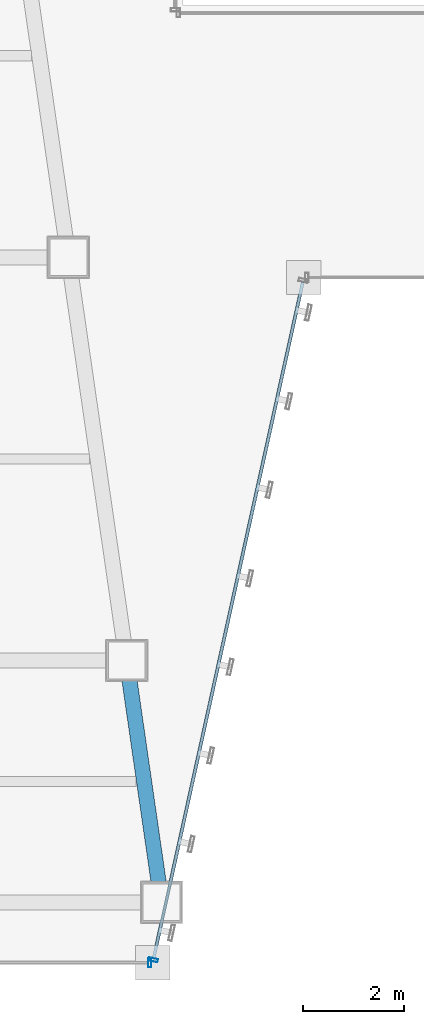
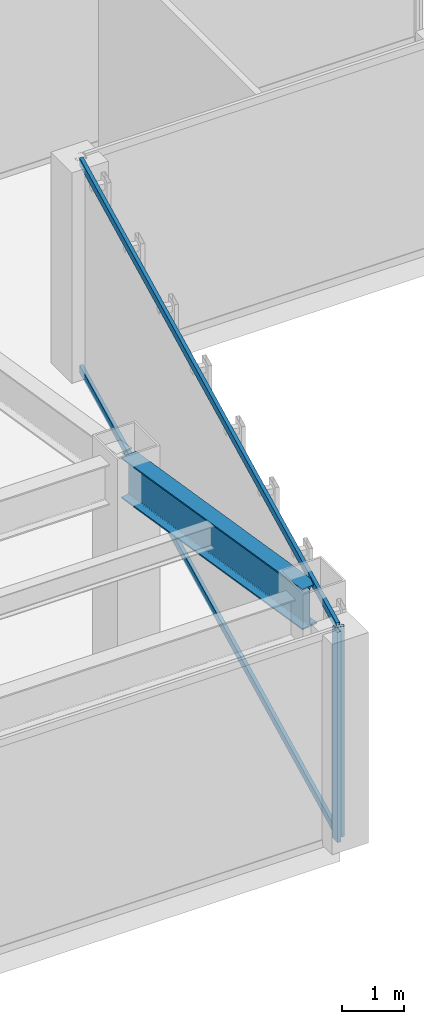
# One storey, part 7 of 49: 4 members, 1 beam, 2 elements without a shape of their own.
"""IFC4 building model written with IfcOpenShell, lengths in metres."""

from ifc_helpers import new_model, si_unit, direction, frame, origin, origin_2d, place, context, subcontext, project, spatial, hollow_rectangle, i_section, extrude, material, material_profile, profile_set, type_object, element, aggregate, save


model = new_model("IFC4")

# Units and contexts
model_context = context("Model", 3, precision=1e-05, world=origin(), true_north=direction((0.0, 1.0)))
body_context = subcontext(model_context, "Body", "Model", "MODEL_VIEW")
ifc_project = project(units=[si_unit("LENGTHUNIT", "METRE"), si_unit("AREAUNIT", "SQUARE_METRE"), si_unit("VOLUMEUNIT", "CUBIC_METRE"), si_unit("PLANEANGLEUNIT", "RADIAN"), si_unit("MASSUNIT", "GRAM", prefix="KILO")], contexts=[model_context])

# Site, building, storey
site_placement = place(None, origin())
site = spatial("IfcSite", under=ifc_project, at=site_placement, CompositionType="ELEMENT")
building_placement = place(site_placement, origin())
building = spatial("IfcBuilding", under=site, at=building_placement, Name="Saevonmaru Cultural Tower", CompositionType="ELEMENT")
storey_placement = place(building_placement, frame((0.0, 0.0, 38.39990234375)))
storey = spatial("IfcBuildingStorey", under=building, at=storey_placement, Name="L07", CompositionType="ELEMENT", Elevation=38.39990234375)

# Beam
ifc_material_1 = material(Name="Steel SM420", Category="steel")
ifc_material_profile_1 = material_profile(ifc_material_1, i_section(OverallWidth=0.300048828125, OverallDepth=0.800048828125, WebThickness=0.013916015625, FlangeThickness=0.02587890625, FilletRadius=0.028076171875, at=origin_2d()), Name="H-800x300x14x26")
ifc_profile_set_1 = profile_set([ifc_material_profile_1], Name="Steel SM420")
beam_type = type_object("IfcBeamType", Name="BM-G-H800", PredefinedType="BEAM", material=ifc_profile_set_1)
beam_placement = place(storey_placement, frame((23.768310546875, 3.259521484375, 3.75), z_axis=(-0.143083234893, 0.989710658674, 0.0), x_axis=(-0.989710658674, -0.143083234893, 0.0)))
element("IfcBeam", 1, at=beam_placement, inside=storey, type_object=beam_type, Name="L07 West Atrium Girder 1", PredefinedType="BEAM", context=body_context, shape_type="SweptSolid", body=[
    extrude(i_section(OverallWidth=0.300048828125, OverallDepth=0.800048828125, WebThickness=0.013916015625, FlangeThickness=0.02587890625, FilletRadius=0.028076171875, at=origin_2d()), origin(), (0.0, 0.0, 1.0), 4.729736328125),
])

# Curtain wall, member
ifc_material_2 = material(Name="Satin Bronze Anodised Aluminium", Category="aluminium")
curtain_wall_type = type_object("IfcCurtainWallType", Name="CW-TYP-A", PredefinedType="NOTDEFINED", material=ifc_material_2)
curtain_wall_1_placement = place(storey_placement, origin())
curtain_wall_1 = element("IfcCurtainWall", 2, at=curtain_wall_1_placement, inside=storey, type_object=curtain_wall_type, Name="L07 Unitised Curtain Wall E2", PredefinedType="NOTDEFINED")
ifc_material_profile_2 = material_profile(ifc_material_2, hollow_rectangle(XDim=0.06494140625, YDim=0.179931640625, WallThickness=0.00390625, at=origin_2d()), Name="ALU-MULL-180x65x4")
ifc_profile_set_2 = profile_set([ifc_material_profile_2], Name="Satin Bronze Anodised Aluminium")
member_type_1 = type_object("IfcMemberType", Name="ML-CW-180x65", PredefinedType="MULLION", material=ifc_profile_set_2)
member_1_placement = place(storey_placement, frame((23.5400390625, 2.0, 0.0), z_axis=(0.0, 0.0, 1.0), x_axis=(1.0, 0.0, 0.0)))
member_1 = element("IfcMember", 3, at=member_1_placement, type_object=member_type_1, Name="CW-TW-L07-E2 mullion 2", PredefinedType="MULLION", context=body_context, shape_type="SweptSolid", body=[
    extrude(hollow_rectangle(XDim=0.06494140625, YDim=0.179931640625, WallThickness=0.00390625, at=origin_2d()), origin(), (0.0, 0.0, 1.0), 4.150146484375),
])
aggregate(curtain_wall_1, [member_1])

# Curtain wall, members
curtain_wall_2_placement = place(storey_placement, origin())
curtain_wall_2 = element("IfcCurtainWall", 4, at=curtain_wall_2_placement, inside=storey, type_object=curtain_wall_type, Name="L07 Unitised Curtain Wall E3", PredefinedType="NOTDEFINED")
member_2_placement = place(storey_placement, frame((23.61279296875, 2.05859375, 0.0), z_axis=(0.0, 0.0, 1.0), x_axis=(0.215413319953, 0.976522965212, 0.0)))
member_2 = element("IfcMember", 5, at=member_2_placement, type_object=member_type_1, Name="CW-TW-L07-E3 mullion 1", PredefinedType="MULLION", context=body_context, shape_type="SweptSolid", body=[
    extrude(hollow_rectangle(XDim=0.06494140625, YDim=0.179931640625, WallThickness=0.00390625, at=origin_2d()), origin(), (0.0, 0.0, 1.0), 4.150146484375),
])
ifc_material_profile_3 = material_profile(ifc_material_2, hollow_rectangle(XDim=0.06494140625, YDim=0.14990234375, WallThickness=0.00390625, at=origin_2d()), Name="ALU-TRAN-150x65x4")
ifc_profile_set_3 = profile_set([ifc_material_profile_3], Name="Satin Bronze Anodised Aluminium")
member_type_2 = type_object("IfcMemberType", Name="TR-CW-150x65", PredefinedType="USERDEFINED", material=ifc_profile_set_3)
member_3_placement = place(storey_placement, frame((23.619873046875, 2.09033203125, 0.03271484375), z_axis=(0.21541214732, 0.976523223885, 0.0), x_axis=(-0.976523223885, 0.21541214732, 0.0)))
member_3 = element("IfcMember", 6, at=member_3_placement, type_object=member_type_2, Name="CW-TW-L07-E3 transom 1.1", ObjectType="TRANSOM", PredefinedType="USERDEFINED", context=body_context, shape_type="SweptSolid", body=[
    extrude(hollow_rectangle(XDim=0.06494140625, YDim=0.14990234375, WallThickness=0.00390625, at=origin_2d()), origin(), (0.0, 0.0, 1.0), 13.741943359375),
])
member_4_placement = place(storey_placement, frame((23.619873046875, 2.09033203125, 4.11767578125), z_axis=(0.21541214732, 0.976523223885, 0.0), x_axis=(-0.976523223885, 0.21541214732, 0.0)))
member_4 = element("IfcMember", 7, at=member_4_placement, type_object=member_type_2, Name="CW-TW-L07-E3 transom 1.2", ObjectType="TRANSOM", PredefinedType="USERDEFINED", context=body_context, shape_type="SweptSolid", body=[
    extrude(hollow_rectangle(XDim=0.06494140625, YDim=0.14990234375, WallThickness=0.00390625, at=origin_2d()), origin(), (0.0, 0.0, 1.0), 13.741943359375),
])
aggregate(curtain_wall_2, [member_2, member_3, member_4])

save(model, "model.ifc")
